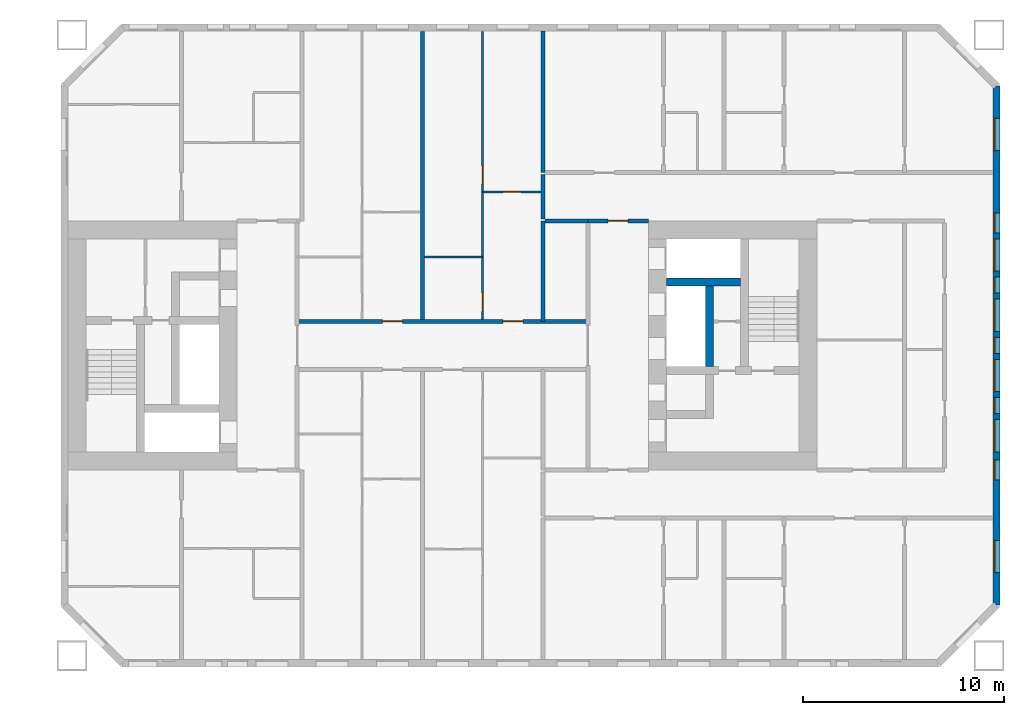
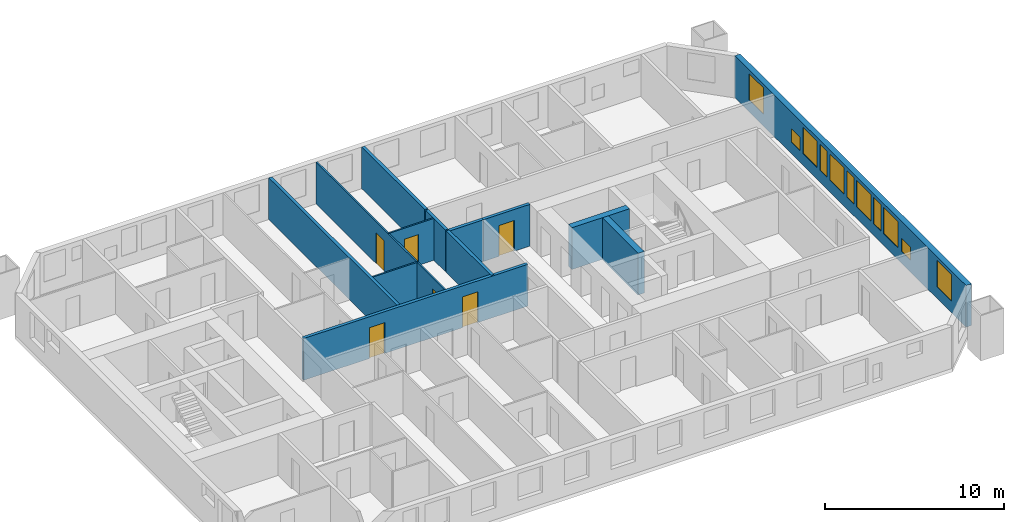
# One storey, part 13 of 17: 13 walls, 11 windows, 6 doors, 17 openings.
"""IFC4 building model written with IfcOpenShell, lengths in metres."""

from ifc_helpers import new_model, si_unit, direction, frame, frame_2d, origin, place, context, subcontext, project, spatial, rectangle, extrude, material, layer, layer_set, type_object, element, fill, save


model = new_model("IFC4")

# Units and contexts
model_context = context("Model", 3, precision=1e-05, world=origin(), true_north=direction((0.0, 1.0)))
body_context = subcontext(model_context, "Body", "Model", "MODEL_VIEW")
ifc_project = project(units=[si_unit("LENGTHUNIT", "METRE"), si_unit("AREAUNIT", "SQUARE_METRE"), si_unit("VOLUMEUNIT", "CUBIC_METRE"), si_unit("PLANEANGLEUNIT", "RADIAN"), si_unit("MASSUNIT", "GRAM", prefix="KILO")], contexts=[model_context])

# Site, building, storey
site_placement = place(None, origin())
site = spatial("IfcSite", under=ifc_project, at=site_placement, CompositionType="ELEMENT")
building_placement = place(site_placement, origin())
building = spatial("IfcBuilding", under=site, at=building_placement, Name="Tuart Gate Housing", CompositionType="ELEMENT")
storey_placement = place(building_placement, frame((0.0, 0.0, 22.60009765625)))
storey = spatial("IfcBuildingStorey", under=building, at=storey_placement, Name="L05", CompositionType="ELEMENT", Elevation=22.60009765625)

# Wall, openings, windows
ifc_material_1 = material(Name="Brick", Category="masonry")
ifc_layer_1 = layer(ifc_material_1, 0.360107421875)
ifc_layer_set_1 = layer_set([ifc_layer_1], Name="Brick pier and spandrel wall 360")
wall_type_1 = type_object("IfcWallType", Name="Brick pier and spandrel wall 360", PredefinedType="STANDARD", material=ifc_layer_set_1)
wall_1_placement = place(storey_placement, frame((177.570068359375, 57.07470703125, 0.0), z_axis=(0.0, 0.0, 1.0), x_axis=(0.0, 1.0, 0.0)))
wall_1 = element("IfcWall", 1, at=wall_1_placement, inside=storey, type_object=wall_type_1, Name="External wall B-E L05", PredefinedType="STANDARD", context=body_context, shape_type="SweptSolid", body=[
    extrude(rectangle(XDim=25.850830078125, YDim=0.360107421875, at=frame_2d((12.92529296875, 0.0))), origin(), (0.0, 0.0, 1.0), 2.849853515625),
])
opening_1_placement = place(wall_1_placement, frame((1.62548828125, 0.0, 0.800048828125)))
opening_1 = element("IfcOpeningElement", 2, at=opening_1_placement, cuts=wall_1, Name="Opening W1", PredefinedType="OPENING", context=body_context, shape_type="SweptSolid", body=[
    extrude(rectangle(XDim=1.60009765625, YDim=1.800048828125, at=frame_2d((0.800048828125, 0.89990234375))), frame((0.0, 0.18994140625, 0.0), z_axis=(0.0, -1.0, 0.0), x_axis=(1.0, 0.0, 0.0)), (0.0, 0.0, 1.0), 0.380126953125),
])
opening_2_placement = place(wall_1_placement, frame((6.225341796875, 0.0, 0.800048828125)))
opening_2 = element("IfcOpeningElement", 3, at=opening_2_placement, cuts=wall_1, Name="Opening W1U", PredefinedType="OPENING", context=body_context, shape_type="SweptSolid", body=[
    extrude(rectangle(XDim=1.0, YDim=0.89990234375, at=frame_2d((0.5, 0.449951171875))), frame((0.0, 0.18994140625, 0.0), z_axis=(0.0, -1.0, 0.0), x_axis=(1.0, 0.0, 0.0)), (0.0, 0.0, 1.0), 0.380126953125),
])
opening_3_placement = place(wall_1_placement, frame((7.62548828125, 0.0, 0.800048828125)))
opening_3 = element("IfcOpeningElement", 4, at=opening_3_placement, cuts=wall_1, Name="Opening W1", PredefinedType="OPENING", context=body_context, shape_type="SweptSolid", body=[
    extrude(rectangle(XDim=1.60009765625, YDim=1.800048828125, at=frame_2d((0.800048828125, 0.89990234375))), frame((0.0, 0.18994140625, 0.0), z_axis=(0.0, -1.0, 0.0), x_axis=(1.0, 0.0, 0.0)), (0.0, 0.0, 1.0), 0.380126953125),
])
opening_4_placement = place(wall_1_placement, frame((10.62548828125, 0.0, 0.800048828125)))
opening_4 = element("IfcOpeningElement", 5, at=opening_4_placement, cuts=wall_1, Name="Opening W1", PredefinedType="OPENING", context=body_context, shape_type="SweptSolid", body=[
    extrude(rectangle(XDim=1.60009765625, YDim=1.800048828125, at=frame_2d((0.800048828125, 0.89990234375))), frame((0.0, 0.18994140625, 0.0), z_axis=(0.0, -1.0, 0.0), x_axis=(1.0, 0.0, 0.0)), (0.0, 0.0, 1.0), 0.380126953125),
])
opening_5_placement = place(wall_1_placement, frame((13.62548828125, 0.0, 0.800048828125)))
opening_5 = element("IfcOpeningElement", 6, at=opening_5_placement, cuts=wall_1, Name="Opening W1", PredefinedType="OPENING", context=body_context, shape_type="SweptSolid", body=[
    extrude(rectangle(XDim=1.60009765625, YDim=1.800048828125, at=frame_2d((0.800048828125, 0.89990234375))), frame((0.0, 0.18994140625, 0.0), z_axis=(0.0, -1.0, 0.0), x_axis=(1.0, 0.0, 0.0)), (0.0, 0.0, 1.0), 0.380126953125),
])
opening_6_placement = place(wall_1_placement, frame((16.62548828125, 0.0, 0.800048828125)))
opening_6 = element("IfcOpeningElement", 7, at=opening_6_placement, cuts=wall_1, Name="Opening W1", PredefinedType="OPENING", context=body_context, shape_type="SweptSolid", body=[
    extrude(rectangle(XDim=1.60009765625, YDim=1.800048828125, at=frame_2d((0.800048828125, 0.89990234375))), frame((0.0, 0.18994140625, 0.0), z_axis=(0.0, -1.0, 0.0), x_axis=(1.0, 0.0, 0.0)), (0.0, 0.0, 1.0), 0.380126953125),
])
opening_7_placement = place(wall_1_placement, frame((9.525390625, 0.0, 0.800048828125)))
opening_7 = element("IfcOpeningElement", 8, at=opening_7_placement, cuts=wall_1, Name="Opening W1D", PredefinedType="OPENING", context=body_context, shape_type="SweptSolid", body=[
    extrude(rectangle(XDim=0.800048828125, YDim=1.800048828125, at=frame_2d((0.39990234375, 0.89990234375))), frame((0.0, 0.18994140625, 0.0), z_axis=(0.0, -1.0, 0.0), x_axis=(1.0, 0.0, 0.0)), (0.0, 0.0, 1.0), 0.380126953125),
])
opening_8_placement = place(wall_1_placement, frame((22.62548828125, 0.0, 0.800048828125)))
opening_8 = element("IfcOpeningElement", 9, at=opening_8_placement, cuts=wall_1, Name="Opening W1", PredefinedType="OPENING", context=body_context, shape_type="SweptSolid", body=[
    extrude(rectangle(XDim=1.60009765625, YDim=1.800048828125, at=frame_2d((0.800048828125, 0.89990234375))), frame((0.0, 0.18994140625, 0.0), z_axis=(0.0, -1.0, 0.0), x_axis=(1.0, 0.0, 0.0)), (0.0, 0.0, 1.0), 0.380126953125),
])
opening_9_placement = place(wall_1_placement, frame((12.525390625, 0.0, 0.800048828125)))
opening_9 = element("IfcOpeningElement", 10, at=opening_9_placement, cuts=wall_1, Name="Opening W1D", PredefinedType="OPENING", context=body_context, shape_type="SweptSolid", body=[
    extrude(rectangle(XDim=0.800048828125, YDim=1.800048828125, at=frame_2d((0.39990234375, 0.89990234375))), frame((0.0, 0.18994140625, 0.0), z_axis=(0.0, -1.0, 0.0), x_axis=(1.0, 0.0, 0.0)), (0.0, 0.0, 1.0), 0.380126953125),
])
opening_10_placement = place(wall_1_placement, frame((15.525390625, 0.0, 0.800048828125)))
opening_10 = element("IfcOpeningElement", 11, at=opening_10_placement, cuts=wall_1, Name="Opening W1D", PredefinedType="OPENING", context=body_context, shape_type="SweptSolid", body=[
    extrude(rectangle(XDim=0.800048828125, YDim=1.800048828125, at=frame_2d((0.39990234375, 0.89990234375))), frame((0.0, 0.18994140625, 0.0), z_axis=(0.0, -1.0, 0.0), x_axis=(1.0, 0.0, 0.0)), (0.0, 0.0, 1.0), 0.380126953125),
])
opening_11_placement = place(wall_1_placement, frame((18.525390625, 0.0, 0.800048828125)))
opening_11 = element("IfcOpeningElement", 12, at=opening_11_placement, cuts=wall_1, Name="Opening W1U", PredefinedType="OPENING", context=body_context, shape_type="SweptSolid", body=[
    extrude(rectangle(XDim=1.0, YDim=0.89990234375, at=frame_2d((0.5, 0.449951171875))), frame((0.0, 0.18994140625, 0.0), z_axis=(0.0, -1.0, 0.0), x_axis=(1.0, 0.0, 0.0)), (0.0, 0.0, 1.0), 0.380126953125),
])
ifc_material_2 = material(Name="Aluminium frame with clear glass", Category="aluminium")
window_type_1 = type_object("IfcWindowType", Name="Punched window 1000 x 900", PartitioningType="SINGLE_PANEL", PredefinedType="WINDOW", material=ifc_material_2)
window_1_placement = place(opening_2_placement, origin())
window_1 = element("IfcWindow", 13, at=window_1_placement, inside=storey, type_object=window_type_1, Name="Window W1U", OverallHeight=0.89990234375, OverallWidth=1.0, PartitioningType="SINGLE_PANEL", PredefinedType="WINDOW", context=body_context, shape_type="SweptSolid", body=[
    extrude(rectangle(XDim=1.0, YDim=0.89990234375, at=frame_2d((0.5, 0.449951171875))), frame((0.0, 0.150146484375, 0.0), z_axis=(0.0, -1.0, 0.0), x_axis=(1.0, 0.0, 0.0)), (0.0, 0.0, 1.0), 0.06005859375),
])
fill(opening_2, window_1)
window_2_placement = place(opening_11_placement, origin())
window_2 = element("IfcWindow", 14, at=window_2_placement, inside=storey, type_object=window_type_1, Name="Window W1U", OverallHeight=0.89990234375, OverallWidth=1.0, PartitioningType="SINGLE_PANEL", PredefinedType="WINDOW", context=body_context, shape_type="SweptSolid", body=[
    extrude(rectangle(XDim=1.0, YDim=0.89990234375, at=frame_2d((0.5, 0.449951171875))), frame((0.0, 0.150146484375, 0.0), z_axis=(0.0, -1.0, 0.0), x_axis=(1.0, 0.0, 0.0)), (0.0, 0.0, 1.0), 0.06005859375),
])
fill(opening_11, window_2)
ifc_material_3 = material(Name="Aluminium frame with clear glass", Category="aluminium")
window_type_2 = type_object("IfcWindowType", Name="Punched window 1600 x 1800", PartitioningType="SINGLE_PANEL", PredefinedType="WINDOW", material=ifc_material_3)
window_3_placement = place(opening_1_placement, origin())
window_3 = element("IfcWindow", 15, at=window_3_placement, inside=storey, type_object=window_type_2, Name="Window W1", OverallHeight=1.800048828125, OverallWidth=1.60009765625, PartitioningType="SINGLE_PANEL", PredefinedType="WINDOW", context=body_context, shape_type="SweptSolid", body=[
    extrude(rectangle(XDim=1.60009765625, YDim=1.800048828125, at=frame_2d((0.800048828125, 0.89990234375))), frame((0.0, 0.150146484375, 0.0), z_axis=(0.0, -1.0, 0.0), x_axis=(1.0, 0.0, 0.0)), (0.0, 0.0, 1.0), 0.06005859375),
])
fill(opening_1, window_3)
window_4_placement = place(opening_3_placement, origin())
window_4 = element("IfcWindow", 16, at=window_4_placement, inside=storey, type_object=window_type_2, Name="Window W1", OverallHeight=1.800048828125, OverallWidth=1.60009765625, PartitioningType="SINGLE_PANEL", PredefinedType="WINDOW", context=body_context, shape_type="SweptSolid", body=[
    extrude(rectangle(XDim=1.60009765625, YDim=1.800048828125, at=frame_2d((0.800048828125, 0.89990234375))), frame((0.0, 0.150146484375, 0.0), z_axis=(0.0, -1.0, 0.0), x_axis=(1.0, 0.0, 0.0)), (0.0, 0.0, 1.0), 0.06005859375),
])
fill(opening_3, window_4)
window_5_placement = place(opening_4_placement, origin())
window_5 = element("IfcWindow", 17, at=window_5_placement, inside=storey, type_object=window_type_2, Name="Window W1", OverallHeight=1.800048828125, OverallWidth=1.60009765625, PartitioningType="SINGLE_PANEL", PredefinedType="WINDOW", context=body_context, shape_type="SweptSolid", body=[
    extrude(rectangle(XDim=1.60009765625, YDim=1.800048828125, at=frame_2d((0.800048828125, 0.89990234375))), frame((0.0, 0.150146484375, 0.0), z_axis=(0.0, -1.0, 0.0), x_axis=(1.0, 0.0, 0.0)), (0.0, 0.0, 1.0), 0.06005859375),
])
fill(opening_4, window_5)
window_6_placement = place(opening_5_placement, origin())
window_6 = element("IfcWindow", 18, at=window_6_placement, inside=storey, type_object=window_type_2, Name="Window W1", OverallHeight=1.800048828125, OverallWidth=1.60009765625, PartitioningType="SINGLE_PANEL", PredefinedType="WINDOW", context=body_context, shape_type="SweptSolid", body=[
    extrude(rectangle(XDim=1.60009765625, YDim=1.800048828125, at=frame_2d((0.800048828125, 0.89990234375))), frame((0.0, 0.150146484375, 0.0), z_axis=(0.0, -1.0, 0.0), x_axis=(1.0, 0.0, 0.0)), (0.0, 0.0, 1.0), 0.06005859375),
])
fill(opening_5, window_6)
window_7_placement = place(opening_6_placement, origin())
window_7 = element("IfcWindow", 19, at=window_7_placement, inside=storey, type_object=window_type_2, Name="Window W1", OverallHeight=1.800048828125, OverallWidth=1.60009765625, PartitioningType="SINGLE_PANEL", PredefinedType="WINDOW", context=body_context, shape_type="SweptSolid", body=[
    extrude(rectangle(XDim=1.60009765625, YDim=1.800048828125, at=frame_2d((0.800048828125, 0.89990234375))), frame((0.0, 0.150146484375, 0.0), z_axis=(0.0, -1.0, 0.0), x_axis=(1.0, 0.0, 0.0)), (0.0, 0.0, 1.0), 0.06005859375),
])
fill(opening_6, window_7)
window_8_placement = place(opening_8_placement, origin())
window_8 = element("IfcWindow", 20, at=window_8_placement, inside=storey, type_object=window_type_2, Name="Window W1", OverallHeight=1.800048828125, OverallWidth=1.60009765625, PartitioningType="SINGLE_PANEL", PredefinedType="WINDOW", context=body_context, shape_type="SweptSolid", body=[
    extrude(rectangle(XDim=1.60009765625, YDim=1.800048828125, at=frame_2d((0.800048828125, 0.89990234375))), frame((0.0, 0.150146484375, 0.0), z_axis=(0.0, -1.0, 0.0), x_axis=(1.0, 0.0, 0.0)), (0.0, 0.0, 1.0), 0.06005859375),
])
fill(opening_8, window_8)
ifc_material_4 = material(Name="Aluminium frame with clear glass", Category="aluminium")
window_type_3 = type_object("IfcWindowType", Name="Punched window 800 x 1800", PartitioningType="SINGLE_PANEL", PredefinedType="WINDOW", material=ifc_material_4)
window_9_placement = place(opening_7_placement, origin())
window_9 = element("IfcWindow", 21, at=window_9_placement, inside=storey, type_object=window_type_3, Name="Window W1D", OverallHeight=1.800048828125, OverallWidth=0.800048828125, PartitioningType="SINGLE_PANEL", PredefinedType="WINDOW", context=body_context, shape_type="SweptSolid", body=[
    extrude(rectangle(XDim=0.800048828125, YDim=1.800048828125, at=frame_2d((0.39990234375, 0.89990234375))), frame((0.0, 0.150146484375, 0.0), z_axis=(0.0, -1.0, 0.0), x_axis=(1.0, 0.0, 0.0)), (0.0, 0.0, 1.0), 0.06005859375),
])
fill(opening_7, window_9)
window_10_placement = place(opening_9_placement, origin())
window_10 = element("IfcWindow", 22, at=window_10_placement, inside=storey, type_object=window_type_3, Name="Window W1D", OverallHeight=1.800048828125, OverallWidth=0.800048828125, PartitioningType="SINGLE_PANEL", PredefinedType="WINDOW", context=body_context, shape_type="SweptSolid", body=[
    extrude(rectangle(XDim=0.800048828125, YDim=1.800048828125, at=frame_2d((0.39990234375, 0.89990234375))), frame((0.0, 0.150146484375, 0.0), z_axis=(0.0, -1.0, 0.0), x_axis=(1.0, 0.0, 0.0)), (0.0, 0.0, 1.0), 0.06005859375),
])
fill(opening_9, window_10)
window_11_placement = place(opening_10_placement, origin())
window_11 = element("IfcWindow", 23, at=window_11_placement, inside=storey, type_object=window_type_3, Name="Window W1D", OverallHeight=1.800048828125, OverallWidth=0.800048828125, PartitioningType="SINGLE_PANEL", PredefinedType="WINDOW", context=body_context, shape_type="SweptSolid", body=[
    extrude(rectangle(XDim=0.800048828125, YDim=1.800048828125, at=frame_2d((0.39990234375, 0.89990234375))), frame((0.0, 0.150146484375, 0.0), z_axis=(0.0, -1.0, 0.0), x_axis=(1.0, 0.0, 0.0)), (0.0, 0.0, 1.0), 0.06005859375),
])
fill(opening_10, window_11)

# Walls
ifc_material_5 = material(Name="Concrete C60", Category="concrete")
ifc_layer_2 = layer(ifc_material_5, 0.39990234375)
ifc_layer_set_2 = layer_set([ifc_layer_2], Name="Core wall 400 C60")
wall_type_2 = type_object("IfcWallType", Name="Core wall 400 C60", PredefinedType="SHEAR", material=ifc_layer_set_2)
wall_2_placement = place(storey_placement, frame((161.139892578125, 73.14990234375, 0.0), z_axis=(0.0, 0.0, 1.0), x_axis=(1.0, 0.0, 0.0)))
element("IfcWall", 24, at=wall_2_placement, inside=storey, type_object=wall_type_2, Name="Core wall BK.1", PredefinedType="SHEAR", context=body_context, shape_type="SweptSolid", body=[
    extrude(rectangle(XDim=3.7001953125, YDim=0.39990234375, at=frame_2d((1.85009765625, 0.0))), origin(), (0.0, 0.0, 1.0), 2.849853515625),
])
wall_3_placement = place(storey_placement, frame((163.2900390625, 72.949951171875, 0.0), z_axis=(0.0, 0.0, 1.0), x_axis=(0.0, -1.0, 0.0)))
element("IfcWall", 25, at=wall_3_placement, inside=storey, type_object=wall_type_2, Name="Core wall BK.5", PredefinedType="SHEAR", context=body_context, shape_type="SweptSolid", body=[
    extrude(rectangle(XDim=4.0, YDim=0.39990234375, at=frame_2d((2.0, 0.0))), origin(), (0.0, 0.0, 1.0), 2.849853515625),
])

# Wall, openings, doors
ifc_material_6 = material(Name="Concrete masonry 15 MPa", Category="masonry")
ifc_layer_3 = layer(ifc_material_6, 0.199951171875)
ifc_layer_set_3 = layer_set([ifc_layer_3], Name="Corridor wall masonry 200")
wall_type_3 = type_object("IfcWallType", Name="Corridor wall masonry 200", PredefinedType="PARTITIONING", material=ifc_layer_set_3)
wall_4_placement = place(storey_placement, frame((142.760009765625, 71.199951171875, 0.0), z_axis=(0.0, 0.0, 1.0), x_axis=(1.0, 0.0, 0.0)))
wall_4 = element("IfcWall", 26, at=wall_4_placement, inside=storey, type_object=wall_type_3, Name="Corridor wall masonry 200", PredefinedType="PARTITIONING", context=body_context, shape_type="SweptSolid", body=[
    extrude(rectangle(XDim=14.47998046875, YDim=0.199951171875, at=frame_2d((7.239990234375, 0.0))), origin(), (0.0, 0.0, 1.0), 2.849853515625),
])
opening_12_placement = place(wall_4_placement, frame((4.239990234375, 0.0, 0.0)))
opening_12 = element("IfcOpeningElement", 27, at=opening_12_placement, cuts=wall_4, Name="Opening D432", PredefinedType="OPENING", context=body_context, shape_type="SweptSolid", body=[
    extrude(rectangle(XDim=1.0, YDim=2.10009765625, at=frame_2d((0.5, 1.050048828125))), frame((0.0, 0.10986328125, 0.0), z_axis=(0.0, -1.0, 0.0), x_axis=(1.0, 0.0, 0.0)), (0.0, 0.0, 1.0), 0.219970703125),
])
opening_13_placement = place(wall_4_placement, frame((10.239990234375, 0.0, 0.0)))
opening_13 = element("IfcOpeningElement", 28, at=opening_13_placement, cuts=wall_4, Name="Opening D433", PredefinedType="OPENING", context=body_context, shape_type="SweptSolid", body=[
    extrude(rectangle(XDim=1.0, YDim=2.10009765625, at=frame_2d((0.5, 1.050048828125))), frame((0.0, 0.10986328125, 0.0), z_axis=(0.0, -1.0, 0.0), x_axis=(1.0, 0.0, 0.0)), (0.0, 0.0, 1.0), 0.219970703125),
])
ifc_material_7 = material(Name="Timber door leaf in steel frame", Category="steel")
door_type_1 = type_object("IfcDoorType", Name="Flat entrance door 1000", OperationType="SINGLE_SWING_LEFT", PredefinedType="DOOR", material=ifc_material_7)
door_1_placement = place(opening_12_placement, origin())
door_1 = element("IfcDoor", 29, at=door_1_placement, inside=storey, type_object=door_type_1, Name="Flat entrance door", OperationType="SINGLE_SWING_LEFT", OverallHeight=2.10009765625, OverallWidth=1.0, PredefinedType="DOOR", context=body_context, shape_type="SweptSolid", body=[
    extrude(rectangle(XDim=1.0, YDim=2.10009765625, at=frame_2d((0.5, 1.050048828125))), frame((0.0, 0.02490234375, 0.0), z_axis=(0.0, -1.0, 0.0), x_axis=(1.0, 0.0, 0.0)), (0.0, 0.0, 1.0), 0.050048828125),
])
fill(opening_12, door_1)
door_2_placement = place(opening_13_placement, origin())
door_2 = element("IfcDoor", 30, at=door_2_placement, inside=storey, type_object=door_type_1, Name="Flat entrance door", OperationType="SINGLE_SWING_LEFT", OverallHeight=2.10009765625, OverallWidth=1.0, PredefinedType="DOOR", context=body_context, shape_type="SweptSolid", body=[
    extrude(rectangle(XDim=1.0, YDim=2.10009765625, at=frame_2d((0.5, 1.050048828125))), frame((0.0, 0.02490234375, 0.0), z_axis=(0.0, -1.0, 0.0), x_axis=(1.0, 0.0, 0.0)), (0.0, 0.0, 1.0), 0.050048828125),
])
fill(opening_13, door_2)

# Walls
wall_5_placement = place(storey_placement, frame((155.10009765625, 76.199951171875, 0.0), z_axis=(0.0, 0.0, 1.0), x_axis=(1.0, 0.0, 0.0)))
element("IfcWall", 31, at=wall_5_placement, inside=storey, type_object=wall_type_3, Name="Corridor wall masonry 200", PredefinedType="PARTITIONING", context=body_context, shape_type="SweptSolid", body=[
    extrude(rectangle(XDim=2.139892578125, YDim=0.199951171875, at=frame_2d((1.06982421875, 0.0))), origin(), (0.0, 0.0, 1.0), 2.849853515625),
])
wall_6_placement = place(storey_placement, frame((155.0, 76.300048828125, 0.0), z_axis=(0.0, 0.0, 1.0), x_axis=(0.0, 1.0, 0.0)))
element("IfcWall", 32, at=wall_6_placement, inside=storey, type_object=wall_type_3, Name="Corridor wall masonry 200", PredefinedType="PARTITIONING", context=body_context, shape_type="SweptSolid", body=[
    extrude(rectangle(XDim=2.199951171875, YDim=0.199951171875, at=frame_2d((1.10009765625, 0.0))), origin(), (0.0, 0.0, 1.0), 2.849853515625),
])

# Wall, opening, door
ifc_material_8 = material(Name="Concrete masonry 15 MPa", Category="masonry")
ifc_layer_4 = layer(ifc_material_8, 0.199951171875)
ifc_layer_set_4 = layer_set([ifc_layer_4], Name="Enclosure wall masonry 200")
wall_type_4 = type_object("IfcWallType", Name="Enclosure wall masonry 200", PredefinedType="PARTITIONING", material=ifc_layer_set_4)
wall_7_placement = place(storey_placement, frame((157.239990234375, 76.199951171875, 0.0), z_axis=(0.0, 0.0, 1.0), x_axis=(1.0, 0.0, 0.0)))
wall_7 = element("IfcWall", 33, at=wall_7_placement, inside=storey, type_object=wall_type_4, Name="Enclosure wall masonry 200", PredefinedType="PARTITIONING", context=body_context, shape_type="SweptSolid", body=[
    extrude(rectangle(XDim=3.0, YDim=0.199951171875, at=frame_2d((1.5, 0.0))), origin(), (0.0, 0.0, 1.0), 2.849853515625),
])
opening_14_placement = place(wall_7_placement, frame((1.0, 0.0, 0.0)))
opening_14 = element("IfcOpeningElement", 34, at=opening_14_placement, cuts=wall_7, Name="Opening D427", PredefinedType="OPENING", context=body_context, shape_type="SweptSolid", body=[
    extrude(rectangle(XDim=1.0, YDim=2.10009765625, at=frame_2d((0.5, 1.050048828125))), frame((0.0, 0.10986328125, 0.0), z_axis=(0.0, -1.0, 0.0), x_axis=(1.0, 0.0, 0.0)), (0.0, 0.0, 1.0), 0.219970703125),
])
ifc_material_9 = material(Name="Timber door leaf in steel frame", Category="steel")
door_type_2 = type_object("IfcDoorType", Name="Fire door 1000", OperationType="SINGLE_SWING_LEFT", PredefinedType="DOOR", material=ifc_material_9)
door_3_placement = place(opening_14_placement, origin())
door_3 = element("IfcDoor", 35, at=door_3_placement, inside=storey, type_object=door_type_2, Name="Fire door", OperationType="SINGLE_SWING_LEFT", OverallHeight=2.10009765625, OverallWidth=1.0, PredefinedType="DOOR", context=body_context, shape_type="SweptSolid", body=[
    extrude(rectangle(XDim=1.0, YDim=2.10009765625, at=frame_2d((0.5, 1.050048828125))), frame((0.0, 0.02490234375, 0.0), z_axis=(0.0, -1.0, 0.0), x_axis=(1.0, 0.0, 0.0)), (0.0, 0.0, 1.0), 0.050048828125),
])
fill(opening_14, door_3)

# Wall
ifc_material_10 = material(Name="Gypsum board on steel studs", Category="steel")
ifc_layer_5 = layer(ifc_material_10, 0.10009765625)
ifc_layer_set_5 = layer_set([ifc_layer_5], Name="Partition 100")
wall_type_5 = type_object("IfcWallType", Name="Partition 100", PredefinedType="PARTITIONING", material=ifc_layer_set_5)
wall_8_placement = place(storey_placement, frame((149.10009765625, 74.39990234375, 0.0), z_axis=(0.0, 0.0, 1.0), x_axis=(1.0, 0.0, 0.0)))
element("IfcWall", 36, at=wall_8_placement, inside=storey, type_object=wall_type_5, Name="Partition 100", PredefinedType="PARTITIONING", context=body_context, shape_type="SweptSolid", body=[
    extrude(rectangle(XDim=2.89990234375, YDim=0.10009765625, at=frame_2d((1.449951171875, 0.0))), origin(), (0.0, 0.0, 1.0), 2.849853515625),
])

# Wall, opening, door
wall_9_placement = place(storey_placement, frame((152.0, 77.639892578125, 0.0), z_axis=(0.0, 0.0, 1.0), x_axis=(1.0, 0.0, 0.0)))
wall_9 = element("IfcWall", 37, at=wall_9_placement, inside=storey, type_object=wall_type_5, Name="Partition 100", PredefinedType="PARTITIONING", context=body_context, shape_type="SweptSolid", body=[
    extrude(rectangle(XDim=2.89990234375, YDim=0.10009765625, at=frame_2d((1.449951171875, 0.0))), origin(), (0.0, 0.0, 1.0), 2.849853515625),
])
opening_15_placement = place(wall_9_placement, frame((1.0, 0.0, 0.0)))
opening_15 = element("IfcOpeningElement", 38, at=opening_15_placement, cuts=wall_9, Name="Opening D424", PredefinedType="OPENING", context=body_context, shape_type="SweptSolid", body=[
    extrude(rectangle(XDim=0.89990234375, YDim=2.10009765625, at=frame_2d((0.449951171875, 1.050048828125))), frame((0.0, 0.06005859375, 0.0), z_axis=(0.0, -1.0, 0.0), x_axis=(1.0, 0.0, 0.0)), (0.0, 0.0, 1.0), 0.1201171875),
])
ifc_material_11 = material(Name="Timber door leaf in steel frame", Category="steel")
door_type_3 = type_object("IfcDoorType", Name="Internal door 900 RH", OperationType="SINGLE_SWING_RIGHT", PredefinedType="DOOR", material=ifc_material_11)
door_4_placement = place(opening_15_placement, frame((0.89990234375, 0.0, 0.0), z_axis=(0.0, 0.0, 1.0), x_axis=(-1.0, 0.0, 0.0)))
door_4 = element("IfcDoor", 39, at=door_4_placement, inside=storey, type_object=door_type_3, Name="Internal door", OperationType="SINGLE_SWING_RIGHT", OverallHeight=2.10009765625, OverallWidth=0.89990234375, PredefinedType="DOOR", context=body_context, shape_type="SweptSolid", body=[
    extrude(rectangle(XDim=0.89990234375, YDim=2.10009765625, at=frame_2d((0.449951171875, 1.050048828125))), frame((0.0, 0.025146484375, 0.0), z_axis=(0.0, -1.0, 0.0), x_axis=(1.0, 0.0, 0.0)), (0.0, 0.0, 1.0), 0.050048828125),
])
fill(opening_15, door_4)

# Wall, openings, doors
wall_10_placement = place(storey_placement, frame((152.0, 71.300048828125, 0.0), z_axis=(0.0, 0.0, 1.0), x_axis=(0.0, 1.0, 0.0)))
wall_10 = element("IfcWall", 40, at=wall_10_placement, inside=storey, type_object=wall_type_5, Name="Partition 100", PredefinedType="PARTITIONING", context=body_context, shape_type="SweptSolid", body=[
    extrude(rectangle(XDim=14.33984375, YDim=0.10009765625, at=frame_2d((7.169921875, 0.0))), origin(), (0.0, 0.0, 1.0), 2.849853515625),
])
opening_16_placement = place(wall_10_placement, frame((6.739990234375, 0.0, 0.0)))
opening_16 = element("IfcOpeningElement", 41, at=opening_16_placement, cuts=wall_10, Name="Opening D423", PredefinedType="OPENING", context=body_context, shape_type="SweptSolid", body=[
    extrude(rectangle(XDim=0.89990234375, YDim=2.10009765625, at=frame_2d((0.449951171875, 1.050048828125))), frame((0.0, 0.06005859375, 0.0), z_axis=(0.0, -1.0, 0.0), x_axis=(1.0, 0.0, 0.0)), (0.0, 0.0, 1.0), 0.1201171875),
])
opening_17_placement = place(wall_10_placement, frame((0.39990234375, 0.0, 0.0)))
opening_17 = element("IfcOpeningElement", 42, at=opening_17_placement, cuts=wall_10, Name="Opening D422", PredefinedType="OPENING", context=body_context, shape_type="SweptSolid", body=[
    extrude(rectangle(XDim=0.89990234375, YDim=2.10009765625, at=frame_2d((0.449951171875, 1.050048828125))), frame((0.0, 0.06005859375, 0.0), z_axis=(0.0, -1.0, 0.0), x_axis=(1.0, 0.0, 0.0)), (0.0, 0.0, 1.0), 0.1201171875),
])
ifc_material_12 = material(Name="Timber door leaf in steel frame", Category="steel")
door_type_4 = type_object("IfcDoorType", Name="Bathroom door 900", OperationType="SINGLE_SWING_LEFT", PredefinedType="DOOR", material=ifc_material_12)
door_5_placement = place(opening_17_placement, origin())
door_5 = element("IfcDoor", 43, at=door_5_placement, inside=storey, type_object=door_type_4, Name="Bathroom door", OperationType="SINGLE_SWING_LEFT", OverallHeight=2.10009765625, OverallWidth=0.89990234375, PredefinedType="DOOR", context=body_context, shape_type="SweptSolid", body=[
    extrude(rectangle(XDim=0.89990234375, YDim=2.10009765625, at=frame_2d((0.449951171875, 1.050048828125))), frame((0.0, 0.02490234375, 0.0), z_axis=(0.0, -1.0, 0.0), x_axis=(1.0, 0.0, 0.0)), (0.0, 0.0, 1.0), 0.050048828125),
])
fill(opening_17, door_5)
ifc_material_13 = material(Name="Timber door leaf in steel frame", Category="steel")
door_type_5 = type_object("IfcDoorType", Name="Internal door 900", OperationType="SINGLE_SWING_LEFT", PredefinedType="DOOR", material=ifc_material_13)
door_6_placement = place(opening_16_placement, origin())
door_6 = element("IfcDoor", 44, at=door_6_placement, inside=storey, type_object=door_type_5, Name="Internal door", OperationType="SINGLE_SWING_LEFT", OverallHeight=2.10009765625, OverallWidth=0.89990234375, PredefinedType="DOOR", context=body_context, shape_type="SweptSolid", body=[
    extrude(rectangle(XDim=0.89990234375, YDim=2.10009765625, at=frame_2d((0.449951171875, 1.050048828125))), frame((0.0, 0.02490234375, 0.0), z_axis=(0.0, -1.0, 0.0), x_axis=(1.0, 0.0, 0.0)), (0.0, 0.0, 1.0), 0.050048828125),
])
fill(opening_16, door_6)

# Walls
ifc_material_14 = material(Name="Concrete C40", Category="concrete")
ifc_layer_6 = layer(ifc_material_14, 0.199951171875)
ifc_layer_set_6 = layer_set([ifc_layer_6], Name="Party wall concrete C40 200")
wall_type_6 = type_object("IfcWallType", Name="Party wall concrete C40 200", PredefinedType="SOLIDWALL", material=ifc_layer_set_6)
wall_11_placement = place(storey_placement, frame((149.0, 71.199951171875, 0.0), z_axis=(0.0, 0.0, 1.0), x_axis=(0.0, 1.0, 0.0)))
element("IfcWall", 45, at=wall_11_placement, inside=storey, type_object=wall_type_6, Name="Party wall concrete C40 200", PredefinedType="SOLIDWALL", context=body_context, shape_type="SweptSolid", body=[
    extrude(rectangle(XDim=14.43994140625, YDim=0.199951171875, at=frame_2d((7.219970703125, 0.0))), origin(), (0.0, 0.0, 1.0), 2.849853515625),
])
wall_12_placement = place(storey_placement, frame((155.0, 71.199951171875, 0.0), z_axis=(0.0, 0.0, 1.0), x_axis=(0.0, 1.0, 0.0)))
element("IfcWall", 46, at=wall_12_placement, inside=storey, type_object=wall_type_6, Name="Party wall concrete C40 200", PredefinedType="SOLIDWALL", context=body_context, shape_type="SweptSolid", body=[
    extrude(rectangle(XDim=5.0, YDim=0.199951171875, at=frame_2d((2.5, 0.0))), origin(), (0.0, 0.0, 1.0), 2.849853515625),
])
wall_13_placement = place(storey_placement, frame((155.0, 78.60009765625, 0.0), z_axis=(0.0, 0.0, 1.0), x_axis=(0.0, 1.0, 0.0)))
element("IfcWall", 47, at=wall_13_placement, inside=storey, type_object=wall_type_6, Name="Party wall concrete C40 200", PredefinedType="SOLIDWALL", context=body_context, shape_type="SweptSolid", body=[
    extrude(rectangle(XDim=7.039794921875, YDim=0.199951171875, at=frame_2d((3.52001953125, 0.0))), origin(), (0.0, 0.0, 1.0), 2.849853515625),
])

save(model, "model.ifc")
